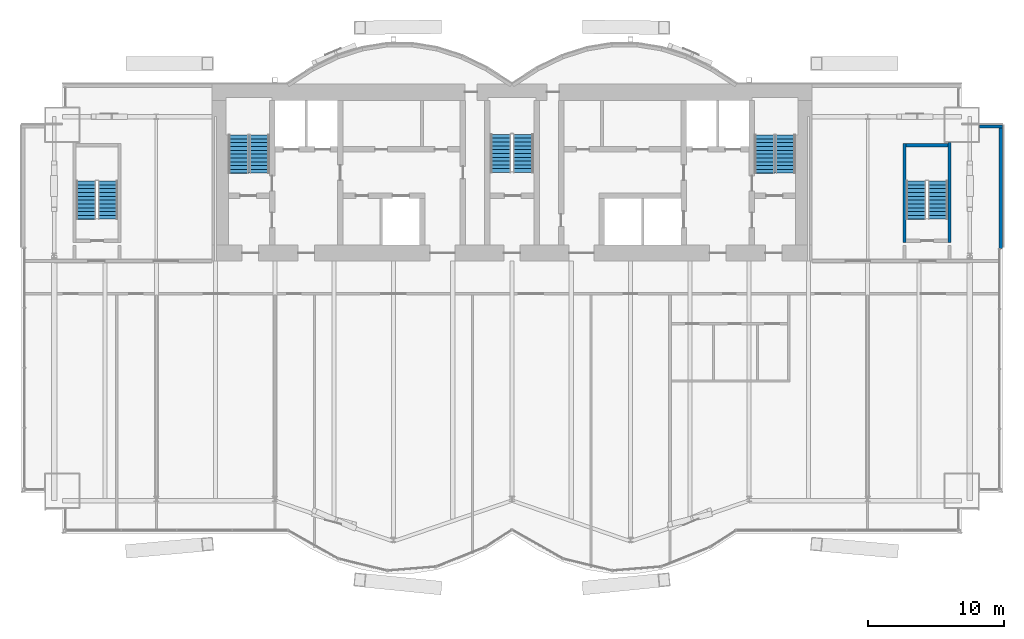
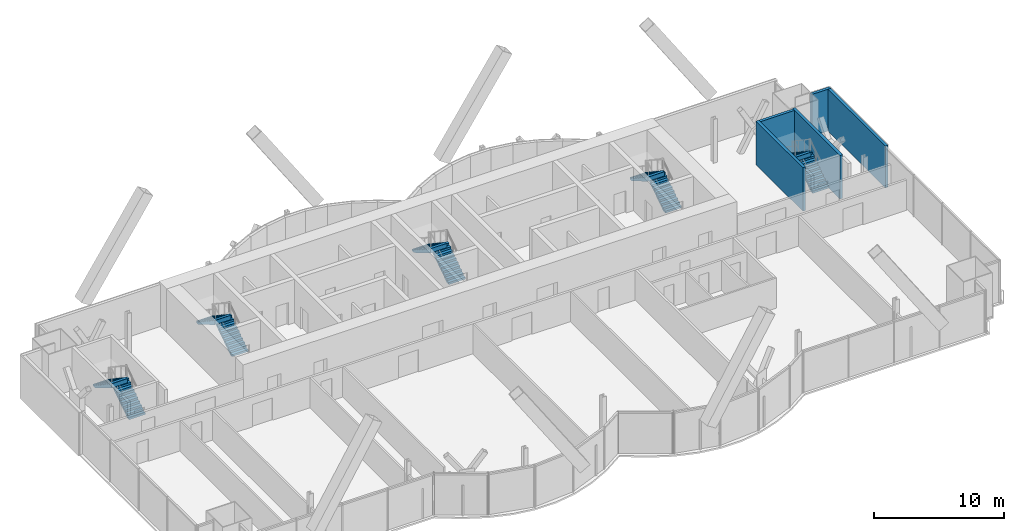
# One storey, part 18 of 21: 10 stair flights, 5 walls, 5 elements without a shape of their own.
"""IFC4 building model written with IfcOpenShell, lengths in metres."""

from ifc_helpers import new_model, si_unit, direction, frame, frame_2d, origin, place, context, subcontext, project, spatial, polyline, rectangle, outline, extrude, material, layer, layer_set, layer_usage, type_object, element, aggregate, save


model = new_model("IFC4")

# Units and contexts
model_context = context("Model", 3, precision=1e-05, world=origin(), true_north=direction((0.0, 1.0)))
body_context = subcontext(model_context, "Body", "Model", "MODEL_VIEW")
ifc_project = project(units=[si_unit("LENGTHUNIT", "METRE"), si_unit("AREAUNIT", "SQUARE_METRE"), si_unit("VOLUMEUNIT", "CUBIC_METRE"), si_unit("PLANEANGLEUNIT", "RADIAN"), si_unit("MASSUNIT", "GRAM", prefix="KILO")], contexts=[model_context])

# Site, building, storey
site_placement = place(None, origin())
site = spatial("IfcSite", under=ifc_project, at=site_placement, CompositionType="ELEMENT")
building_placement = place(site_placement, origin())
building = spatial("IfcBuilding", under=site, at=building_placement, Name="Bicima Exchange Tower", CompositionType="ELEMENT")
storey_placement = place(building_placement, frame((0.0, 0.0, 195.0)))
storey = spatial("IfcBuildingStorey", under=building, at=storey_placement, Name="L43", CompositionType="ELEMENT", Elevation=195.0)

# Walls
ifc_material_1 = material(Name="Concrete C50/60", Category="concrete")
ifc_layer_1 = layer(ifc_material_1, 0.25)
ifc_layer_set_1 = layer_set([ifc_layer_1], Name="Concrete C50/60")
wall_type_1 = type_object("IfcWallType", Name="RC stair enclosure wall 250 C50/60", PredefinedType="SHEAR", material=ifc_layer_set_1)
wall_1_placement = place(storey_placement, frame((28.800048828125, -11.625, 0.0), z_axis=(0.0, 0.0, 1.0), x_axis=(0.0, 1.0, 0.0)))
element("IfcWall", 1, at=wall_1_placement, inside=storey, type_object=wall_type_1, Name="East end exit stair wall W", PredefinedType="SHEAR", context=body_context, shape_type="SweptSolid", body=[
    extrude(rectangle(XDim=7.25, YDim=0.25, at=frame_2d((3.625, 0.0))), origin(), (0.0, 0.0, 1.0), 4.10009765625),
])
wall_2_placement = place(storey_placement, frame((32.10009765625, -11.625, 0.0), z_axis=(0.0, 0.0, 1.0), x_axis=(0.0, 1.0, 0.0)))
element("IfcWall", 2, at=wall_2_placement, inside=storey, type_object=wall_type_1, Name="East end exit stair wall E", PredefinedType="SHEAR", context=body_context, shape_type="SweptSolid", body=[
    extrude(rectangle(XDim=7.324951171875, YDim=0.25, at=frame_2d((3.66259765625, 0.0))), origin(), (0.0, 0.0, 1.0), 4.10009765625),
])
wall_3_placement = place(storey_placement, frame((28.925048828125, -4.5, 0.0), z_axis=(0.0, 0.0, 1.0), x_axis=(1.0, 0.0, 0.0)))
element("IfcWall", 3, at=wall_3_placement, inside=storey, type_object=wall_type_1, Name="East end exit stair wall N", PredefinedType="SHEAR", context=body_context, shape_type="SweptSolid", body=[
    extrude(rectangle(XDim=3.050048828125, YDim=0.25, at=frame_2d((1.52490234375, 0.0))), origin(), (0.0, 0.0, 1.0), 4.10009765625),
])
ifc_material_2 = material(Name="Concrete C40/50", Category="concrete")
ifc_layer_2 = layer(ifc_material_2, 0.25)
ifc_layer_set_2 = layer_set([ifc_layer_2], Name="Concrete C40/50")
ifc_layer_usage = layer_usage(ifc_layer_set_2, "AXIS2", "POSITIVE", -0.125)
wall_type_2 = type_object("IfcWallType", Name="Rear backup wall 250", PredefinedType="STANDARD", material=ifc_layer_set_2)
wall_4_placement = place(storey_placement, frame((35.875, -12.090087890625, 0.0), z_axis=(0.0, 0.0, 1.0), x_axis=(0.0, 1.0, 0.0)))
element("IfcWall", 4, at=wall_4_placement, inside=storey, type_object=wall_type_2, material=ifc_layer_usage, Name="Rear backup wall L43 50", PredefinedType="STANDARD", context=body_context, shape_type="SweptSolid", body=[
    extrude(rectangle(XDim=9.090087890625, YDim=0.25, at=frame_2d((4.544921875, 0.0))), origin(), (0.0, 0.0, 1.0), 3.949951171875),
])
wall_5_placement = place(storey_placement, frame((36.0, -3.125, 0.0), z_axis=(0.0, 0.0, 1.0), x_axis=(-1.0, 0.0, 0.0)))
element("IfcWall", 5, at=wall_5_placement, inside=storey, type_object=wall_type_2, material=ifc_layer_usage, Name="Rear backup wall L43 51", PredefinedType="STANDARD", context=body_context, shape_type="SweptSolid", body=[
    extrude(rectangle(XDim=1.699951171875, YDim=0.25, at=frame_2d((0.85009765625, 0.0))), origin(), (0.0, 0.0, 1.0), 3.949951171875),
])

# Stair, stair flights
stair_type_1 = type_object("IfcStairType", Name="Exit stair", PredefinedType="HALF_TURN_STAIR", material=ifc_material_1)
stair_1_placement = place(storey_placement, origin())
stair_1 = element("IfcStair", 6, at=stair_1_placement, inside=storey, type_object=stair_type_1, Name="L43 West exit stair", PredefinedType="HALF_TURN_STAIR")
stair_flight_type_1 = type_object("IfcStairFlightType", Name="Stair flight RC", PredefinedType="STRAIGHT", material=ifc_material_1)
stair_flight_1_placement = place(storey_placement, frame((-18.52490234375, -6.550048828125, 0.0), z_axis=(0.0, 0.0, 1.0), x_axis=(0.0, 1.0, 0.0)))
stair_flight_1 = element("IfcStairFlight", 7, at=stair_flight_1_placement, type_object=stair_flight_type_1, Name="ST-W flight 1", NumberOfRisers=11, NumberOfTreads=10, PredefinedType="STRAIGHT", RiserHeight=0.186363636, TreadLength=0.28, context=body_context, shape_type="SweptSolid", body=[
    extrude(outline(polyline([(0.0, 0.0), (0.0, 0.186279296875), (0.280029296875, 0.186279296875), (0.280029296875, 0.372802734375), (0.56005859375, 0.372802734375), (0.56005859375, 0.55908203125), (0.840087890625, 0.55908203125), (0.840087890625, 0.745361328125), (1.1201171875, 0.745361328125), (1.1201171875, 0.931884765625), (1.39990234375, 0.931884765625), (1.39990234375, 1.1181640625), (1.679931640625, 1.1181640625), (1.679931640625, 1.304443359375), (1.9599609375, 1.304443359375), (1.9599609375, 1.490966796875), (2.239990234375, 1.490966796875), (2.239990234375, 1.67724609375), (2.52001953125, 1.67724609375), (2.52001953125, 1.863525390625), (2.800048828125, 1.863525390625), (2.800048828125, 2.050048828125), (2.800048828125, 1.68359375), (0.2705078125, 0.0), (0.0, 0.0)])), frame((0.0, 0.72509765625, 0.0), z_axis=(0.0, -1.0, 0.0), x_axis=(1.0, 0.0, 0.0)), (0.0, 0.0, 1.0), 1.449951171875),
])
stair_flight_2_placement = place(storey_placement, frame((-20.074951171875, -3.75, 2.050048828125), z_axis=(0.0, 0.0, 1.0), x_axis=(0.0, -1.0, 0.0)))
stair_flight_2 = element("IfcStairFlight", 8, at=stair_flight_2_placement, type_object=stair_flight_type_1, Name="ST-W flight 2", NumberOfRisers=11, NumberOfTreads=10, PredefinedType="STRAIGHT", RiserHeight=0.186363636, TreadLength=0.28, context=body_context, shape_type="SweptSolid", body=[
    extrude(outline(polyline([(0.0, 0.0), (0.0, 0.186279296875), (0.280029296875, 0.186279296875), (0.280029296875, 0.372802734375), (0.56005859375, 0.372802734375), (0.56005859375, 0.55908203125), (0.840087890625, 0.55908203125), (0.840087890625, 0.745361328125), (1.1201171875, 0.745361328125), (1.1201171875, 0.931884765625), (1.39990234375, 0.931884765625), (1.39990234375, 1.1181640625), (1.679931640625, 1.1181640625), (1.679931640625, 1.304443359375), (1.9599609375, 1.304443359375), (1.9599609375, 1.490966796875), (2.239990234375, 1.490966796875), (2.239990234375, 1.67724609375), (2.52001953125, 1.67724609375), (2.52001953125, 1.863525390625), (2.800048828125, 1.863525390625), (2.800048828125, 1.904052734375), (2.81494140625, 1.904052734375), (2.81494140625, 1.507080078125), (0.2705078125, 0.0), (0.0, 0.0)])), frame((0.0, 0.72509765625, 0.0), z_axis=(0.0, -1.0, 0.0), x_axis=(1.0, 0.0, 0.0)), (0.0, 0.0, 1.0), 1.449951171875),
])
aggregate(stair_1, [stair_flight_1, stair_flight_2])

stair_2_placement = place(storey_placement, origin())
stair_2 = element("IfcStair", 9, at=stair_2_placement, inside=storey, type_object=stair_type_1, Name="L43 East exit stair", PredefinedType="HALF_TURN_STAIR")
stair_flight_3_placement = place(storey_placement, frame((20.074951171875, -6.550048828125, 0.0), z_axis=(0.0, 0.0, 1.0), x_axis=(0.0, 1.0, 0.0)))
stair_flight_3 = element("IfcStairFlight", 10, at=stair_flight_3_placement, type_object=stair_flight_type_1, Name="ST-E flight 1", NumberOfRisers=11, NumberOfTreads=10, PredefinedType="STRAIGHT", RiserHeight=0.186363636, TreadLength=0.28, context=body_context, shape_type="SweptSolid", body=[
    extrude(outline(polyline([(0.0, 0.0), (0.0, 0.186279296875), (0.280029296875, 0.186279296875), (0.280029296875, 0.372802734375), (0.56005859375, 0.372802734375), (0.56005859375, 0.55908203125), (0.840087890625, 0.55908203125), (0.840087890625, 0.745361328125), (1.1201171875, 0.745361328125), (1.1201171875, 0.931884765625), (1.39990234375, 0.931884765625), (1.39990234375, 1.1181640625), (1.679931640625, 1.1181640625), (1.679931640625, 1.304443359375), (1.9599609375, 1.304443359375), (1.9599609375, 1.490966796875), (2.239990234375, 1.490966796875), (2.239990234375, 1.67724609375), (2.52001953125, 1.67724609375), (2.52001953125, 1.863525390625), (2.800048828125, 1.863525390625), (2.800048828125, 2.050048828125), (2.800048828125, 1.68359375), (0.2705078125, 0.0), (0.0, 0.0)])), frame((0.0, 0.72509765625, 0.0), z_axis=(0.0, -1.0, 0.0), x_axis=(1.0, 0.0, 0.0)), (0.0, 0.0, 1.0), 1.449951171875),
])
stair_flight_4_placement = place(storey_placement, frame((18.52490234375, -3.75, 2.050048828125), z_axis=(0.0, 0.0, 1.0), x_axis=(0.0, -1.0, 0.0)))
stair_flight_4 = element("IfcStairFlight", 11, at=stair_flight_4_placement, type_object=stair_flight_type_1, Name="ST-E flight 2", NumberOfRisers=11, NumberOfTreads=10, PredefinedType="STRAIGHT", RiserHeight=0.186363636, TreadLength=0.28, context=body_context, shape_type="SweptSolid", body=[
    extrude(outline(polyline([(0.0, 0.0), (0.0, 0.186279296875), (0.280029296875, 0.186279296875), (0.280029296875, 0.372802734375), (0.56005859375, 0.372802734375), (0.56005859375, 0.55908203125), (0.840087890625, 0.55908203125), (0.840087890625, 0.745361328125), (1.1201171875, 0.745361328125), (1.1201171875, 0.931884765625), (1.39990234375, 0.931884765625), (1.39990234375, 1.1181640625), (1.679931640625, 1.1181640625), (1.679931640625, 1.304443359375), (1.9599609375, 1.304443359375), (1.9599609375, 1.490966796875), (2.239990234375, 1.490966796875), (2.239990234375, 1.67724609375), (2.52001953125, 1.67724609375), (2.52001953125, 1.863525390625), (2.800048828125, 1.863525390625), (2.800048828125, 1.904052734375), (2.81494140625, 1.904052734375), (2.81494140625, 1.507080078125), (0.2705078125, 0.0), (0.0, 0.0)])), frame((0.0, 0.72509765625, 0.0), z_axis=(0.0, -1.0, 0.0), x_axis=(1.0, 0.0, 0.0)), (0.0, 0.0, 1.0), 1.449951171875),
])
aggregate(stair_2, [stair_flight_3, stair_flight_4])

stair_3_placement = place(storey_placement, origin())
stair_3 = element("IfcStair", 12, at=stair_3_placement, inside=storey, type_object=stair_type_1, Name="L43 West end exit stair", PredefinedType="HALF_TURN_STAIR")
stair_flight_5_placement = place(storey_placement, frame((-29.64990234375, -9.925048828125, 0.0), z_axis=(0.0, 0.0, 1.0), x_axis=(0.0, 1.0, 0.0)))
stair_flight_5 = element("IfcStairFlight", 13, at=stair_flight_5_placement, type_object=stair_flight_type_1, Name="ST-WW flight 1", NumberOfRisers=11, NumberOfTreads=10, PredefinedType="STRAIGHT", RiserHeight=0.186363636, TreadLength=0.28, context=body_context, shape_type="SweptSolid", body=[
    extrude(outline(polyline([(0.0, 0.0), (0.0, 0.186279296875), (0.280029296875, 0.186279296875), (0.280029296875, 0.372802734375), (0.56005859375, 0.372802734375), (0.56005859375, 0.55908203125), (0.840087890625, 0.55908203125), (0.840087890625, 0.745361328125), (1.1201171875, 0.745361328125), (1.1201171875, 0.931884765625), (1.39990234375, 0.931884765625), (1.39990234375, 1.1181640625), (1.679931640625, 1.1181640625), (1.679931640625, 1.304443359375), (1.9599609375, 1.304443359375), (1.9599609375, 1.490966796875), (2.239990234375, 1.490966796875), (2.239990234375, 1.67724609375), (2.52001953125, 1.67724609375), (2.52001953125, 1.863525390625), (2.800048828125, 1.863525390625), (2.800048828125, 2.050048828125), (2.800048828125, 1.68359375), (0.2705078125, 0.0), (0.0, 0.0)])), frame((0.0, 0.72509765625, 0.0), z_axis=(0.0, -1.0, 0.0), x_axis=(1.0, 0.0, 0.0)), (0.0, 0.0, 1.0), 1.449951171875),
])
stair_flight_6_placement = place(storey_placement, frame((-31.25, -7.125, 2.050048828125), z_axis=(0.0, 0.0, 1.0), x_axis=(0.0, -1.0, 0.0)))
stair_flight_6 = element("IfcStairFlight", 14, at=stair_flight_6_placement, type_object=stair_flight_type_1, Name="ST-WW flight 2", NumberOfRisers=11, NumberOfTreads=10, PredefinedType="STRAIGHT", RiserHeight=0.186363636, TreadLength=0.28, context=body_context, shape_type="SweptSolid", body=[
    extrude(outline(polyline([(0.0, 0.0), (0.0, 0.186279296875), (0.280029296875, 0.186279296875), (0.280029296875, 0.372802734375), (0.56005859375, 0.372802734375), (0.56005859375, 0.55908203125), (0.840087890625, 0.55908203125), (0.840087890625, 0.745361328125), (1.1201171875, 0.745361328125), (1.1201171875, 0.931884765625), (1.39990234375, 0.931884765625), (1.39990234375, 1.1181640625), (1.679931640625, 1.1181640625), (1.679931640625, 1.304443359375), (1.9599609375, 1.304443359375), (1.9599609375, 1.490966796875), (2.239990234375, 1.490966796875), (2.239990234375, 1.67724609375), (2.52001953125, 1.67724609375), (2.52001953125, 1.863525390625), (2.800048828125, 1.863525390625), (2.800048828125, 1.904052734375), (2.81494140625, 1.904052734375), (2.81494140625, 1.507080078125), (0.2705078125, 0.0), (0.0, 0.0)])), frame((0.0, 0.72509765625, 0.0), z_axis=(0.0, -1.0, 0.0), x_axis=(1.0, 0.0, 0.0)), (0.0, 0.0, 1.0), 1.449951171875),
])
aggregate(stair_3, [stair_flight_5, stair_flight_6])

stair_4_placement = place(storey_placement, origin())
stair_4 = element("IfcStair", 15, at=stair_4_placement, inside=storey, type_object=stair_type_1, Name="L43 East end exit stair", PredefinedType="HALF_TURN_STAIR")
stair_flight_7_placement = place(storey_placement, frame((31.25, -9.925048828125, 0.0), z_axis=(0.0, 0.0, 1.0), x_axis=(0.0, 1.0, 0.0)))
stair_flight_7 = element("IfcStairFlight", 16, at=stair_flight_7_placement, type_object=stair_flight_type_1, Name="ST-EE flight 1", NumberOfRisers=11, NumberOfTreads=10, PredefinedType="STRAIGHT", RiserHeight=0.186363636, TreadLength=0.28, context=body_context, shape_type="SweptSolid", body=[
    extrude(outline(polyline([(0.0, 0.0), (0.0, 0.186279296875), (0.280029296875, 0.186279296875), (0.280029296875, 0.372802734375), (0.56005859375, 0.372802734375), (0.56005859375, 0.55908203125), (0.840087890625, 0.55908203125), (0.840087890625, 0.745361328125), (1.1201171875, 0.745361328125), (1.1201171875, 0.931884765625), (1.39990234375, 0.931884765625), (1.39990234375, 1.1181640625), (1.679931640625, 1.1181640625), (1.679931640625, 1.304443359375), (1.9599609375, 1.304443359375), (1.9599609375, 1.490966796875), (2.239990234375, 1.490966796875), (2.239990234375, 1.67724609375), (2.52001953125, 1.67724609375), (2.52001953125, 1.863525390625), (2.800048828125, 1.863525390625), (2.800048828125, 2.050048828125), (2.800048828125, 1.68359375), (0.2705078125, 0.0), (0.0, 0.0)])), frame((0.0, 0.72509765625, 0.0), z_axis=(0.0, -1.0, 0.0), x_axis=(1.0, 0.0, 0.0)), (0.0, 0.0, 1.0), 1.449951171875),
])
stair_flight_8_placement = place(storey_placement, frame((29.64990234375, -7.125, 2.050048828125), z_axis=(0.0, 0.0, 1.0), x_axis=(0.0, -1.0, 0.0)))
stair_flight_8 = element("IfcStairFlight", 17, at=stair_flight_8_placement, type_object=stair_flight_type_1, Name="ST-EE flight 2", NumberOfRisers=11, NumberOfTreads=10, PredefinedType="STRAIGHT", RiserHeight=0.186363636, TreadLength=0.28, context=body_context, shape_type="SweptSolid", body=[
    extrude(outline(polyline([(0.0, 0.0), (0.0, 0.186279296875), (0.280029296875, 0.186279296875), (0.280029296875, 0.372802734375), (0.56005859375, 0.372802734375), (0.56005859375, 0.55908203125), (0.840087890625, 0.55908203125), (0.840087890625, 0.745361328125), (1.1201171875, 0.745361328125), (1.1201171875, 0.931884765625), (1.39990234375, 0.931884765625), (1.39990234375, 1.1181640625), (1.679931640625, 1.1181640625), (1.679931640625, 1.304443359375), (1.9599609375, 1.304443359375), (1.9599609375, 1.490966796875), (2.239990234375, 1.490966796875), (2.239990234375, 1.67724609375), (2.52001953125, 1.67724609375), (2.52001953125, 1.863525390625), (2.800048828125, 1.863525390625), (2.800048828125, 1.904052734375), (2.81494140625, 1.904052734375), (2.81494140625, 1.507080078125), (0.2705078125, 0.0), (0.0, 0.0)])), frame((0.0, 0.72509765625, 0.0), z_axis=(0.0, -1.0, 0.0), x_axis=(1.0, 0.0, 0.0)), (0.0, 0.0, 1.0), 1.449951171875),
])
aggregate(stair_4, [stair_flight_7, stair_flight_8])

stair_type_2 = type_object("IfcStairType", Name="Exit stair 1500", PredefinedType="HALF_TURN_STAIR", material=ifc_material_1)
stair_5_placement = place(storey_placement, origin())
stair_5 = element("IfcStair", 18, at=stair_5_placement, inside=storey, type_object=stair_type_2, Name="L43 Central exit stair", PredefinedType="HALF_TURN_STAIR")
stair_flight_type_2 = type_object("IfcStairFlightType", Name="Stair flight RC 1500", PredefinedType="STRAIGHT", material=ifc_material_1)
stair_flight_9_placement = place(storey_placement, frame((0.824951171875, -6.5, 0.0), z_axis=(0.0, 0.0, 1.0), x_axis=(0.0, 1.0, 0.0)))
stair_flight_9 = element("IfcStairFlight", 19, at=stair_flight_9_placement, type_object=stair_flight_type_2, Name="ST-C flight 1", NumberOfRisers=11, NumberOfTreads=10, PredefinedType="STRAIGHT", RiserHeight=0.186363636, TreadLength=0.28, context=body_context, shape_type="SweptSolid", body=[
    extrude(outline(polyline([(0.0, 0.0), (0.0, 0.186279296875), (0.280029296875, 0.186279296875), (0.280029296875, 0.372802734375), (0.56005859375, 0.372802734375), (0.56005859375, 0.55908203125), (0.840087890625, 0.55908203125), (0.840087890625, 0.745361328125), (1.1201171875, 0.745361328125), (1.1201171875, 0.931884765625), (1.39990234375, 0.931884765625), (1.39990234375, 1.1181640625), (1.679931640625, 1.1181640625), (1.679931640625, 1.304443359375), (1.9599609375, 1.304443359375), (1.9599609375, 1.490966796875), (2.239990234375, 1.490966796875), (2.239990234375, 1.67724609375), (2.52001953125, 1.67724609375), (2.52001953125, 1.863525390625), (2.800048828125, 1.863525390625), (2.800048828125, 2.050048828125), (2.800048828125, 1.68359375), (0.2705078125, 0.0), (0.0, 0.0)])), frame((0.0, 0.75, 0.0), z_axis=(0.0, -1.0, 0.0), x_axis=(1.0, 0.0, 0.0)), (0.0, 0.0, 1.0), 1.5),
])
stair_flight_10_placement = place(storey_placement, frame((-0.824951171875, -3.699951171875, 2.050048828125), z_axis=(0.0, 0.0, 1.0), x_axis=(0.0, -1.0, 0.0)))
stair_flight_10 = element("IfcStairFlight", 20, at=stair_flight_10_placement, type_object=stair_flight_type_2, Name="ST-C flight 2", NumberOfRisers=11, NumberOfTreads=10, PredefinedType="STRAIGHT", RiserHeight=0.186363636, TreadLength=0.28, context=body_context, shape_type="SweptSolid", body=[
    extrude(outline(polyline([(0.0, 0.0), (0.0, 0.186279296875), (0.280029296875, 0.186279296875), (0.280029296875, 0.372802734375), (0.56005859375, 0.372802734375), (0.56005859375, 0.55908203125), (0.840087890625, 0.55908203125), (0.840087890625, 0.745361328125), (1.1201171875, 0.745361328125), (1.1201171875, 0.931884765625), (1.39990234375, 0.931884765625), (1.39990234375, 1.1181640625), (1.679931640625, 1.1181640625), (1.679931640625, 1.304443359375), (1.9599609375, 1.304443359375), (1.9599609375, 1.490966796875), (2.239990234375, 1.490966796875), (2.239990234375, 1.67724609375), (2.52001953125, 1.67724609375), (2.52001953125, 1.863525390625), (2.800048828125, 1.863525390625), (2.800048828125, 1.904052734375), (2.81494140625, 1.904052734375), (2.81494140625, 1.507080078125), (0.2705078125, 0.0), (0.0, 0.0)])), frame((0.0, 0.75, 0.0), z_axis=(0.0, -1.0, 0.0), x_axis=(1.0, 0.0, 0.0)), (0.0, 0.0, 1.0), 1.5),
])
aggregate(stair_5, [stair_flight_9, stair_flight_10])

save(model, "model.ifc")
